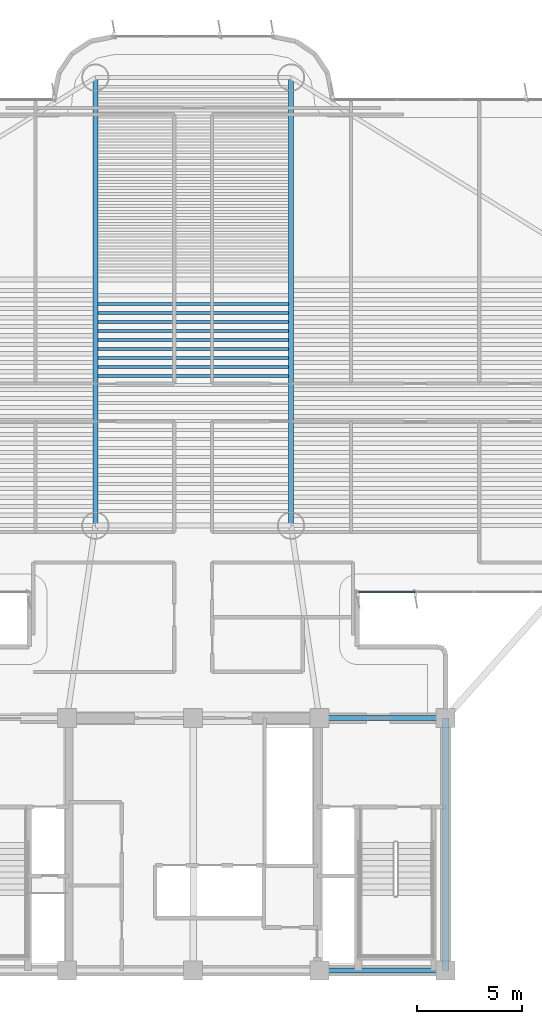
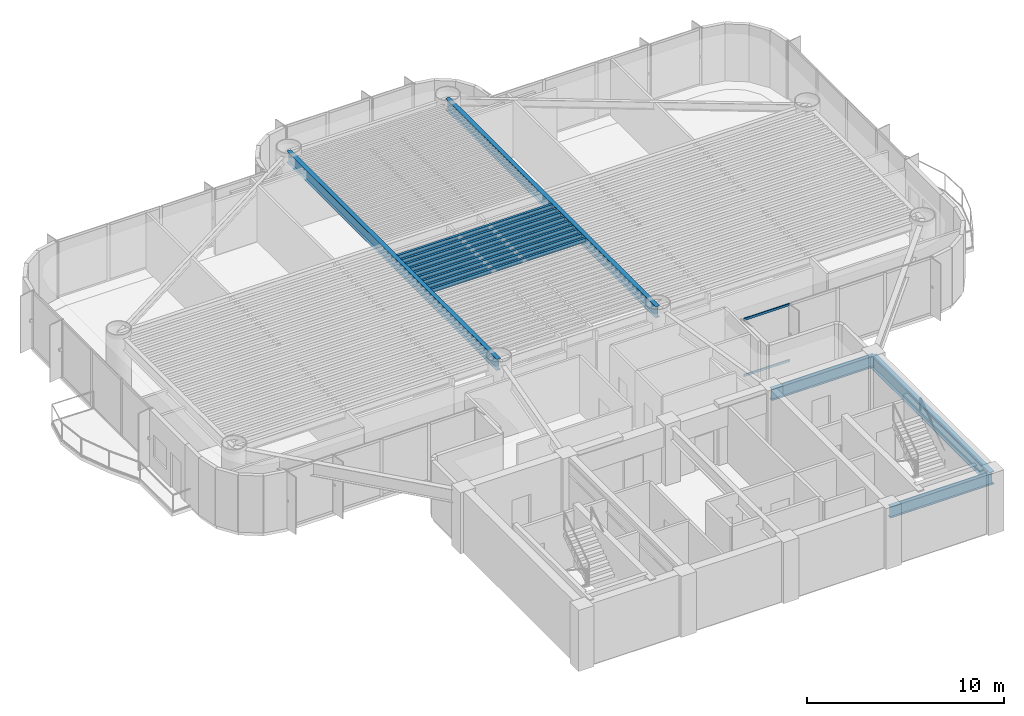
# One storey, part 3 of 16: 14 beams, 2 members, 1 element without a shape of its own.
"""IFC4 building model written with IfcOpenShell, lengths in metres."""

from ifc_helpers import new_model, si_unit, direction, frame, origin, origin_2d, place, context, subcontext, project, spatial, rectangle, i_section, extrude, source, transform, mapped, material, layer, layer_set, material_profile, profile_set, type_object, element, aggregate, save


model = new_model("IFC4")

# Units and contexts
model_context = context("Model", 3, precision=1e-05, world=origin(), true_north=direction((0.0, 1.0)))
body_context = subcontext(model_context, "Body", "Model", "MODEL_VIEW")
ifc_project = project(units=[si_unit("LENGTHUNIT", "METRE"), si_unit("AREAUNIT", "SQUARE_METRE"), si_unit("VOLUMEUNIT", "CUBIC_METRE"), si_unit("PLANEANGLEUNIT", "RADIAN"), si_unit("MASSUNIT", "GRAM", prefix="KILO")], contexts=[model_context])

# Site, building, storey
site_placement = place(None, origin())
site = spatial("IfcSite", under=ifc_project, at=site_placement, CompositionType="ELEMENT")
building_placement = place(site_placement, origin())
building = spatial("IfcBuilding", under=site, at=building_placement, Name="Brelvock Crest Care Tower", CompositionType="ELEMENT")
storey_placement = place(building_placement, frame((0.0, 0.0, 108.719970703125)))
storey = spatial("IfcBuildingStorey", under=building, at=storey_placement, Name="L27", CompositionType="ELEMENT", Elevation=108.719970703125)

# Beams
ifc_material_1 = material(Name="Steel Grade 350", Category="steel")
ifc_material_profile_1 = material_profile(ifc_material_1, i_section(OverallWidth=0.25, OverallDepth=0.699951171875, WebThickness=0.011962890625, FlangeThickness=0.02001953125, at=origin_2d()), Name="700WB150")
ifc_profile_set_1 = profile_set([ifc_material_profile_1], Name="Steel Grade 350")
beam_type_1 = type_object("IfcBeamType", Name="BM-G4", PredefinedType="BEAM", material=ifc_profile_set_1)
shared_shape_1 = source(origin(), body_context, "Body", "SweptSolid", [
    extrude(i_section(OverallWidth=0.25, OverallDepth=0.699951171875, WebThickness=0.011962890625, FlangeThickness=0.02001953125, at=origin_2d()), origin(), (0.0, 0.0, 1.0), 6.0),
])
for number, where, z_axis, x_axis, name in (
    (1, (42.0, 6.0, 3.179931640625), (1.0, 0.0, 0.0), (0.0, 1.0, 0.0), "BM-CORES-L27-4"),
    (2, (42.0, 18.0, 3.179931640625), (1.0, 0.0, 0.0), (0.0, 1.0, 0.0), "BM-COREN-L27-4"),
):
    element("IfcBeam", number, at=place(storey_placement, frame(where, z_axis=z_axis, x_axis=x_axis)), inside=storey, type_object=beam_type_1, Name=name, PredefinedType="BEAM", context=body_context, shape_type="MappedRepresentation", body=[
        mapped(shared_shape_1, transform((0.0, 0.0, 0.0), x_axis=(1.0, 0.0, 0.0), y_axis=(0.0, 1.0, 0.0), z_axis=(0.0, 0.0, 1.0), scale=1.0)),
    ])
ifc_material_profile_2 = material_profile(ifc_material_1, i_section(OverallWidth=0.300048828125, OverallDepth=0.800048828125, WebThickness=0.013916015625, FlangeThickness=0.02197265625, at=origin_2d()), Name="800WB192")
ifc_profile_set_2 = profile_set([ifc_material_profile_2], Name="Steel Grade 350")
beam_type_2 = type_object("IfcBeamType", Name="BM-G5", PredefinedType="BEAM", material=ifc_profile_set_2)
shared_shape_2 = source(origin(), body_context, "Body", "SweptSolid", [
    extrude(i_section(OverallWidth=0.300048828125, OverallDepth=0.800048828125, WebThickness=0.013916015625, FlangeThickness=0.02197265625, at=origin_2d()), origin(), (0.0, 0.0, 1.0), 12.0),
])
beam_placement = place(storey_placement, frame((48.0, 6.0, 3.130126953125), z_axis=(0.0, 1.0, 0.0), x_axis=(-1.0, 0.0, 0.0)))
element("IfcBeam", 3, at=beam_placement, inside=storey, type_object=beam_type_2, Name="BM-COREX-L27-5", PredefinedType="BEAM", context=body_context, shape_type="MappedRepresentation", body=[
    mapped(shared_shape_2, transform((0.0, 0.0, 0.0), x_axis=(1.0, 0.0, 0.0), y_axis=(0.0, 1.0, 0.0), z_axis=(0.0, 0.0, 1.0), scale=1.0)),
])
ifc_material_profile_3 = material_profile(ifc_material_1, i_section(OverallWidth=0.14599609375, OverallDepth=0.256103515625, WebThickness=0.00634765625, FlangeThickness=0.010986328125, FilletRadius=0.0087890625, at=origin_2d()), Name="250UB37.3")
ifc_profile_set_3 = profile_set([ifc_material_profile_3], Name="Steel Grade 350")
beam_type_3 = type_object("IfcBeamType", Name="BM-J3", PredefinedType="JOIST", material=ifc_profile_set_3)
shared_shape_3 = source(origin(), body_context, "Body", "SweptSolid", [
    extrude(i_section(OverallWidth=0.14599609375, OverallDepth=0.256103515625, WebThickness=0.00634765625, FlangeThickness=0.010986328125, FilletRadius=0.0087890625, at=origin_2d()), origin(), (0.0, 0.0, 1.0), 9.06982421875),
])
for number, where, z_axis, x_axis, name in (
    (4, (31.465087890625, 34.2607421875, 3.402099609375), (1.0, 0.0, 0.0), (0.0, 1.0, 0.0), "BM-JH-L27-16"),
    (5, (31.465087890625, 34.687744140625, 3.402099609375), (1.0, 0.0, 0.0), (0.0, 1.0, 0.0), "BM-JH-L27-17"),
    (6, (31.465087890625, 35.11474609375, 3.402099609375), (1.0, 0.0, 0.0), (0.0, 1.0, 0.0), "BM-JH-L27-18"),
    (7, (31.465087890625, 35.541748046875, 3.402099609375), (1.0, 0.0, 0.0), (0.0, 1.0, 0.0), "BM-JH-L27-19"),
    (8, (31.465087890625, 35.96875, 3.402099609375), (1.0, 0.0, 0.0), (0.0, 1.0, 0.0), "BM-JH-L27-20"),
    (9, (31.465087890625, 36.39599609375, 3.402099609375), (1.0, 0.0, 0.0), (0.0, 1.0, 0.0), "BM-JH-L27-21"),
    (10, (31.465087890625, 36.822998046875, 3.402099609375), (1.0, 0.0, 0.0), (0.0, 1.0, 0.0), "BM-JH-L27-22"),
    (11, (31.465087890625, 37.25, 3.402099609375), (1.0, 0.0, 0.0), (0.0, 1.0, 0.0), "BM-JH-L27-23"),
    (12, (31.465087890625, 37.677001953125, 3.402099609375), (1.0, 0.0, 0.0), (0.0, 1.0, 0.0), "BM-JH-L27-24"),
):
    element("IfcBeam", number, at=place(storey_placement, frame(where, z_axis=z_axis, x_axis=x_axis)), inside=storey, type_object=beam_type_3, Name=name, PredefinedType="JOIST", context=body_context, shape_type="MappedRepresentation", body=[
        mapped(shared_shape_3, transform((0.0, 0.0, 0.0), x_axis=(1.0, 0.0, 0.0), y_axis=(0.0, 1.0, 0.0), z_axis=(0.0, 0.0, 1.0), scale=1.0)),
    ])
shared_shape_4 = source(origin(), body_context, "Body", "SweptSolid", [
    extrude(i_section(OverallWidth=0.25, OverallDepth=0.699951171875, WebThickness=0.011962890625, FlangeThickness=0.02001953125, at=origin_2d()), origin(), (0.0, 0.0, 1.0), 21.300048828125),
])
for number, where, z_axis, x_axis, name in (
    (13, (31.35009765625, 27.14990234375, 3.179931640625), (0.0, 1.0, 0.0), (-1.0, 0.0, 0.0), "BM-TWR-L27-09"),
    (14, (40.64990234375, 27.14990234375, 3.179931640625), (0.0, 1.0, 0.0), (-1.0, 0.0, 0.0), "BM-TWR-L27-10"),
):
    element("IfcBeam", number, at=place(storey_placement, frame(where, z_axis=z_axis, x_axis=x_axis)), inside=storey, type_object=beam_type_1, Name=name, PredefinedType="BEAM", context=body_context, shape_type="MappedRepresentation", body=[
        mapped(shared_shape_4, transform((0.0, 0.0, 0.0), x_axis=(1.0, 0.0, 0.0), y_axis=(0.0, 1.0, 0.0), z_axis=(0.0, 0.0, 1.0), scale=1.0)),
    ])

# Curtain wall, members
ifc_material_2 = material(Name="Dark Glass Double Glazed Low-E", Category="glass")
ifc_layer = layer(ifc_material_2, 0.2099609375, Name="CWS-3")
ifc_layer_set = layer_set([ifc_layer], Name="Dark Glass Double Glazed Low-E")
curtain_wall_type = type_object("IfcCurtainWallType", Name="CWS-3", PredefinedType="NOTDEFINED", material=ifc_layer_set)
curtain_wall_placement = place(storey_placement, origin())
curtain_wall = element("IfcCurtainWall", 15, at=curtain_wall_placement, inside=storey, type_object=curtain_wall_type, Name="L27 Curtain Wall E44", PredefinedType="NOTDEFINED")
ifc_material_3 = material(Name="Aluminium 6063-T6", Category="aluminium")
ifc_material_profile_4 = material_profile(ifc_material_3, rectangle(XDim=0.06005859375, YDim=0.139892578125, at=origin_2d()), Name="ALU60x140")
ifc_profile_set_4 = profile_set([ifc_material_profile_4], Name="Aluminium 6063-T6")
member_type = type_object("IfcMemberType", Name="CWT-2", PredefinedType="USERDEFINED", material=ifc_profile_set_4)
shared_shape_5 = source(origin(), body_context, "Body", "SweptSolid", [
    extrude(rectangle(XDim=0.06005859375, YDim=0.139892578125, at=origin_2d()), origin(), (0.0, 0.0, 1.0), 2.684814453125),
])
member_1_placement = place(storey_placement, frame((46.544921875, 24.0, 0.030029296875), z_axis=(-1.0, 0.0, 0.0), x_axis=(0.0, -1.0, 0.0)))
member_1 = element("IfcMember", 16, at=member_1_placement, type_object=member_type, Name="CW-3 transom 4.1", ObjectType="TRANSOM", PredefinedType="USERDEFINED", context=body_context, shape_type="MappedRepresentation", body=[
    mapped(shared_shape_5, transform((0.0, 0.0, 0.0), x_axis=(1.0, 0.0, 0.0), y_axis=(0.0, 1.0, 0.0), z_axis=(0.0, 0.0, 1.0), scale=1.0)),
])
member_2_placement = place(storey_placement, frame((46.544921875, 24.0, 3.5), z_axis=(-1.0, 0.0, 0.0), x_axis=(0.0, -1.0, 0.0)))
member_2 = element("IfcMember", 17, at=member_2_placement, type_object=member_type, Name="CW-3 transom 4.2", ObjectType="TRANSOM", PredefinedType="USERDEFINED", context=body_context, shape_type="MappedRepresentation", body=[
    mapped(shared_shape_5, transform((0.0, 0.0, 0.0), x_axis=(1.0, 0.0, 0.0), y_axis=(0.0, 1.0, 0.0), z_axis=(0.0, 0.0, 1.0), scale=1.0)),
])
aggregate(curtain_wall, [member_1, member_2])

save(model, "model.ifc")
